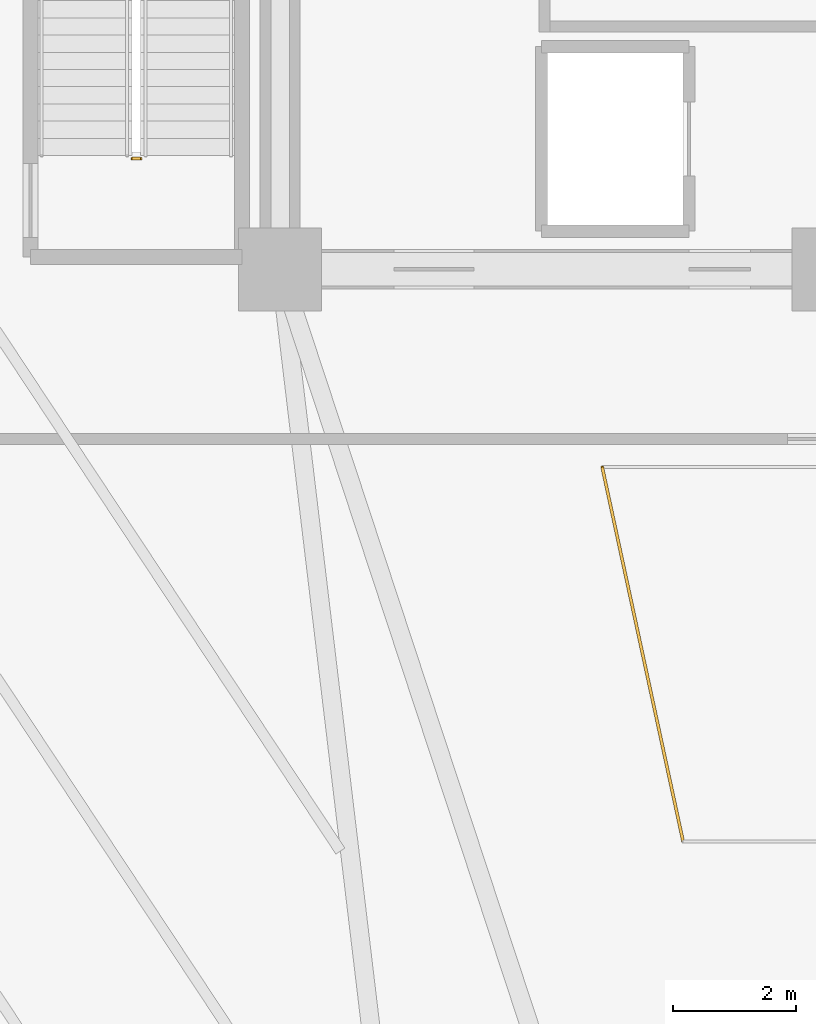
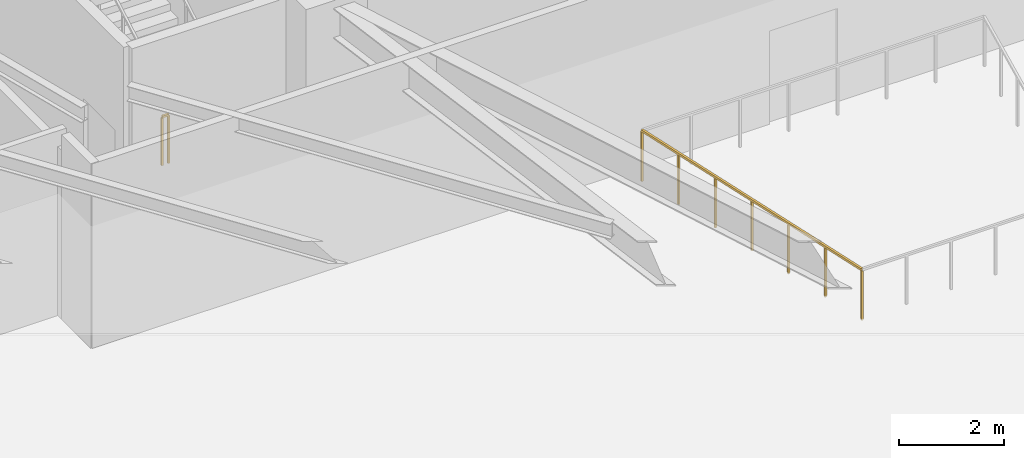
# One storey, part 36 of 39: 2 railings.
"""IFC4 building model written with IfcOpenShell, lengths in metres."""

from ifc_helpers import new_model, si_unit, direction, frame, origin, origin_2d, place, context, subcontext, project, spatial, rectangle, extrude, material, type_object, element, save


model = new_model("IFC4")

# Units and contexts
model_context = context("Model", 3, precision=1e-05, world=origin(), true_north=direction((0.0, 1.0)))
body_context = subcontext(model_context, "Body", "Model", "MODEL_VIEW")
ifc_project = project(units=[si_unit("LENGTHUNIT", "METRE"), si_unit("AREAUNIT", "SQUARE_METRE"), si_unit("VOLUMEUNIT", "CUBIC_METRE"), si_unit("PLANEANGLEUNIT", "RADIAN"), si_unit("MASSUNIT", "GRAM", prefix="KILO")], contexts=[model_context])

# Site, building, storey
site_placement = place(None, origin())
site = spatial("IfcSite", under=ifc_project, at=site_placement, CompositionType="ELEMENT")
building_placement = place(site_placement, origin())
building = spatial("IfcBuilding", under=site, at=building_placement, Name="Liaohun Quay Tower", CompositionType="ELEMENT")
storey_placement = place(building_placement, frame((0.0, 0.0, 189.75)))
storey = spatial("IfcBuildingStorey", under=building, at=storey_placement, Name="L49", CompositionType="ELEMENT", Elevation=189.75)

# Railings
ifc_material_1 = material(Name="Laminated safety glass and stainless steel", Category="steel")
railing_type_1 = type_object("IfcRailingType", Name="RLG-GUARD-ATR", PredefinedType="BALUSTRADE", material=ifc_material_1)
railing_1_placement = place(storey_placement, frame((57.554931640625, 37.18994140625, 0.0)))
element("IfcRailing", 1, at=railing_1_placement, inside=storey, type_object=railing_type_1, Name="L49 Atrium Edge Balustrade 1", PredefinedType="BALUSTRADE", context=body_context, shape_type="SweptSolid", body=[
    extrude(rectangle(XDim=0.048095703125, YDim=0.048095703125, at=origin_2d()), frame((0.0, 0.0, 1.17578125), z_axis=(-0.211201266121, 0.977442594319, 0.0), x_axis=(-0.977442594319, -0.211201266121, 0.0)), (0.0, 0.0, 1.0), 6.230712890625),
    extrude(rectangle(XDim=0.0419921875, YDim=0.0419921875, at=origin_2d()), origin(), (0.0, 0.0, 1.0), 1.15185546875),
    extrude(rectangle(XDim=0.0419921875, YDim=0.0419921875, at=origin_2d()), frame((-0.21923828125, 1.01513671875, 0.0)), (0.0, 0.0, 1.0), 1.15185546875),
    extrude(rectangle(XDim=0.0419921875, YDim=0.0419921875, at=origin_2d()), frame((-0.438720703125, 2.030029296875, 0.0)), (0.0, 0.0, 1.0), 1.15185546875),
    extrude(rectangle(XDim=0.0419921875, YDim=0.0419921875, at=origin_2d()), frame((-0.657958984375, 3.044921875, 0.0)), (0.0, 0.0, 1.0), 1.15185546875),
    extrude(rectangle(XDim=0.0419921875, YDim=0.0419921875, at=origin_2d()), frame((-0.877197265625, 4.06005859375, 0.0)), (0.0, 0.0, 1.0), 1.15185546875),
    extrude(rectangle(XDim=0.0419921875, YDim=0.0419921875, at=origin_2d()), frame((-1.0966796875, 5.0751953125, 0.0)), (0.0, 0.0, 1.0), 1.15185546875),
    extrude(rectangle(XDim=0.0419921875, YDim=0.0419921875, at=origin_2d()), frame((-1.31591796875, 6.090087890625, 0.0)), (0.0, 0.0, 1.0), 1.15185546875),
])
ifc_material_2 = material(Name="Painted tubular steel", Category="steel")
railing_type_2 = type_object("IfcRailingType", Name="RLG-GUARD-STR", PredefinedType="GUARDRAIL", material=ifc_material_2)
railing_2_placement = place(storey_placement, frame((48.72998046875, 48.300048828125, 0.0)))
element("IfcRailing", 2, at=railing_2_placement, inside=storey, type_object=railing_type_2, Name="L49 ST-1 stair guard 4", PredefinedType="GUARDRAIL", context=body_context, shape_type="SweptSolid", body=[
    extrude(rectangle(XDim=0.048095703125, YDim=0.048095703125, at=origin_2d()), frame((0.0, 0.0, 1.1259765625), z_axis=(-1.0, 0.0, 0.0), x_axis=(0.0, -1.0, 0.0)), (0.0, 0.0, 1.0), 0.139892578125),
    extrude(rectangle(XDim=0.0419921875, YDim=0.0419921875, at=origin_2d()), origin(), (0.0, 0.0, 1.0), 1.101806640625),
    extrude(rectangle(XDim=0.0419921875, YDim=0.0419921875, at=origin_2d()), frame((-0.139892578125, 0.0, 0.0)), (0.0, 0.0, 1.0), 1.101806640625),
])

save(model, "model.ifc")
